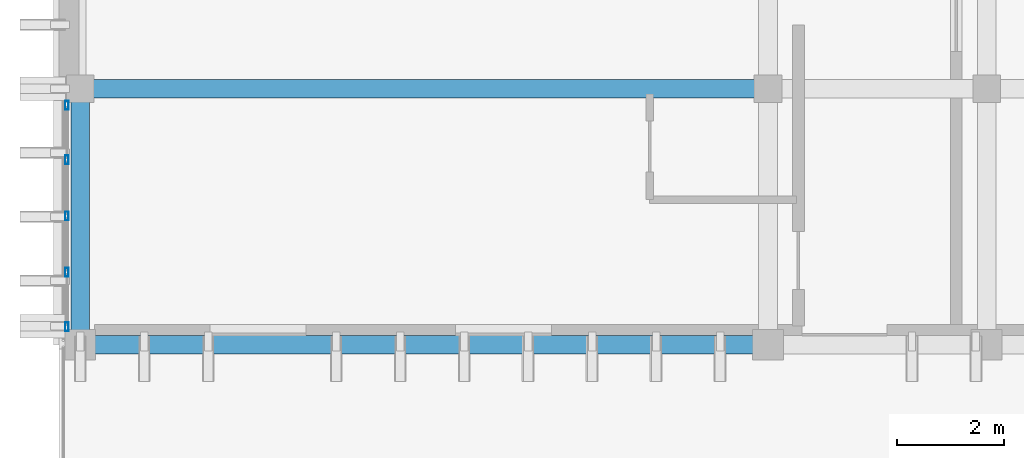
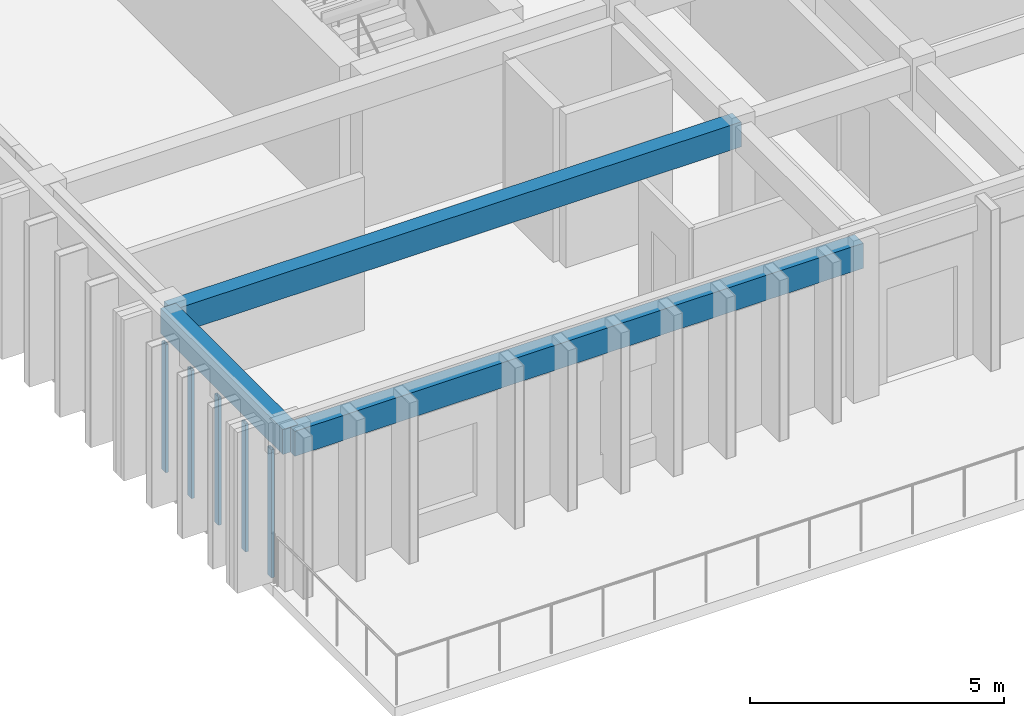
# One storey, part 2 of 49: 5 members, 3 beams, 1 element without a shape of its own.
"""IFC4 building model written with IfcOpenShell, lengths in metres."""

from ifc_helpers import new_model, si_unit, direction, frame, origin, origin_2d, place, context, subcontext, project, spatial, rectangle, hollow_rectangle, extrude, material, layer, layer_set, material_profile, profile_set, type_object, element, aggregate, save


model = new_model("IFC4")

# Units and contexts
model_context = context("Model", 3, precision=1e-05, world=origin(), true_north=direction((0.0, 1.0)))
body_context = subcontext(model_context, "Body", "Model", "MODEL_VIEW")
ifc_project = project(units=[si_unit("LENGTHUNIT", "METRE"), si_unit("AREAUNIT", "SQUARE_METRE"), si_unit("VOLUMEUNIT", "CUBIC_METRE"), si_unit("PLANEANGLEUNIT", "RADIAN"), si_unit("MASSUNIT", "GRAM", prefix="KILO")], contexts=[model_context])

# Site, building, storey
site_placement = place(None, origin())
site = spatial("IfcSite", under=ifc_project, at=site_placement, CompositionType="ELEMENT")
building_placement = place(site_placement, origin())
building = spatial("IfcBuilding", under=site, at=building_placement, Name="Nakhvara Creek Congress Hotel", CompositionType="ELEMENT")
storey_placement = place(building_placement, frame((0.0, 0.0, 46.5)))
storey = spatial("IfcBuildingStorey", under=building, at=storey_placement, Name="L11", CompositionType="ELEMENT", Elevation=46.5)

# Beams
ifc_material_1 = material(Name="Concrete C40/50", Category="concrete")
ifc_material_profile_1 = material_profile(ifc_material_1, rectangle(XDim=0.35009765625, YDim=0.60009765625, at=origin_2d()), Name="RC-BM 350x600", Category="LoadBearing")
ifc_profile_set_1 = profile_set([ifc_material_profile_1], Name="Concrete C40/50")
beam_type = type_object("IfcBeamType", Name="BM-RC-350X600", PredefinedType="BEAM", material=ifc_profile_set_1)
beam_1_placement = place(storey_placement, frame((149.449951171875, 67.199951171875, 3.3798828125), z_axis=(1.0, 0.0, 0.0), x_axis=(0.0, 1.0, 0.0)))
element("IfcBeam", 1, at=beam_1_placement, inside=storey, type_object=beam_type, Name="Beam B07-L11-2720", PredefinedType="BEAM", context=body_context, shape_type="SweptSolid", body=[
    extrude(rectangle(XDim=0.35009765625, YDim=0.60009765625, at=origin_2d()), origin(), (0.0, 0.0, 1.0), 12.900146484375),
])
beam_2_placement = place(storey_placement, frame((149.449951171875, 67.199951171875, 3.3798828125), z_axis=(0.0, 1.0, 0.0), x_axis=(-1.0, 0.0, 0.0)))
element("IfcBeam", 2, at=beam_2_placement, inside=storey, type_object=beam_type, Name="Beam B07-L11-2721", PredefinedType="BEAM", context=body_context, shape_type="SweptSolid", body=[
    extrude(rectangle(XDim=0.35009765625, YDim=0.60009765625, at=origin_2d()), origin(), (0.0, 0.0, 1.0), 4.800048828125),
])
beam_3_placement = place(storey_placement, frame((149.449951171875, 72.0, 3.3798828125), z_axis=(1.0, 0.0, 0.0), x_axis=(0.0, 1.0, 0.0)))
element("IfcBeam", 3, at=beam_3_placement, inside=storey, type_object=beam_type, Name="Beam B07-L11-2765", PredefinedType="BEAM", context=body_context, shape_type="SweptSolid", body=[
    extrude(rectangle(XDim=0.35009765625, YDim=0.60009765625, at=origin_2d()), origin(), (0.0, 0.0, 1.0), 12.900146484375),
])

# Curtain wall, members
ifc_material_2 = material(Name="Bronze-anodised aluminium AW-6063-T6 and double-silver low-E glass", Category="aluminium")
ifc_layer = layer(ifc_material_2, 0.199951171875)
ifc_layer_set = layer_set([ifc_layer], Name="Bronze-anodised aluminium AW-6063-T6 and double-silver low-E glass")
curtain_wall_type = type_object("IfcCurtainWallType", Name="CW-HTL-UNIT", PredefinedType="USERDEFINED", material=ifc_layer_set)
curtain_wall_placement = place(storey_placement, origin())
curtain_wall = element("IfcCurtainWall", 4, at=curtain_wall_placement, inside=storey, type_object=curtain_wall_type, Name="Curtain Wall CW333", ObjectType="UNITISED", PredefinedType="USERDEFINED")
ifc_material_3 = material(Name="Bronze-anodised aluminium AW-6063-T6", Category="aluminium")
ifc_material_profile_2 = material_profile(ifc_material_3, hollow_rectangle(XDim=0.06494140625, YDim=0.159912109375, WallThickness=0.00390625, at=origin_2d()), Name="ALU-MULL 65x160x4", Category="LoadBearing")
ifc_profile_set_2 = profile_set([ifc_material_profile_2], Name="Bronze-anodised aluminium AW-6063-T6")
member_type = type_object("IfcMemberType", Name="CW-MULL-160", PredefinedType="MULLION", material=ifc_profile_set_2)
member_1_placement = place(storey_placement, frame((149.199951171875, 67.53759765625, 0.0), z_axis=(0.0, 0.0, 1.0), x_axis=(-1.0, 0.0, 0.0)))
member_1 = element("IfcMember", 5, at=member_1_placement, type_object=member_type, Name="CW333 mullion 1", PredefinedType="MULLION", context=body_context, shape_type="SweptSolid", body=[
    extrude(hollow_rectangle(XDim=0.06494140625, YDim=0.159912109375, WallThickness=0.00390625, at=origin_2d()), origin(), (0.0, 0.0, 1.0), 3.072021484375),
])
member_2_placement = place(storey_placement, frame((149.199951171875, 68.56005859375, 0.0), z_axis=(0.0, 0.0, 1.0), x_axis=(-1.0, 0.0, 0.0)))
member_2 = element("IfcMember", 6, at=member_2_placement, type_object=member_type, Name="CW333 mullion 2", PredefinedType="MULLION", context=body_context, shape_type="SweptSolid", body=[
    extrude(hollow_rectangle(XDim=0.06494140625, YDim=0.159912109375, WallThickness=0.00390625, at=origin_2d()), origin(), (0.0, 0.0, 1.0), 3.072021484375),
])
member_3_placement = place(storey_placement, frame((149.199951171875, 69.614990234375, 0.0), z_axis=(0.0, 0.0, 1.0), x_axis=(-1.0, 0.0, 0.0)))
member_3 = element("IfcMember", 7, at=member_3_placement, type_object=member_type, Name="CW333 mullion 3", PredefinedType="MULLION", context=body_context, shape_type="SweptSolid", body=[
    extrude(hollow_rectangle(XDim=0.06494140625, YDim=0.159912109375, WallThickness=0.00390625, at=origin_2d()), origin(), (0.0, 0.0, 1.0), 3.072021484375),
])
member_4_placement = place(storey_placement, frame((149.199951171875, 70.669921875, 0.0), z_axis=(0.0, 0.0, 1.0), x_axis=(-1.0, 0.0, 0.0)))
member_4 = element("IfcMember", 8, at=member_4_placement, type_object=member_type, Name="CW333 mullion 4", PredefinedType="MULLION", context=body_context, shape_type="SweptSolid", body=[
    extrude(hollow_rectangle(XDim=0.06494140625, YDim=0.159912109375, WallThickness=0.00390625, at=origin_2d()), origin(), (0.0, 0.0, 1.0), 3.072021484375),
])
member_5_placement = place(storey_placement, frame((149.199951171875, 71.6923828125, 0.0), z_axis=(0.0, 0.0, 1.0), x_axis=(-1.0, 0.0, 0.0)))
member_5 = element("IfcMember", 9, at=member_5_placement, type_object=member_type, Name="CW333 mullion 5", PredefinedType="MULLION", context=body_context, shape_type="SweptSolid", body=[
    extrude(hollow_rectangle(XDim=0.06494140625, YDim=0.159912109375, WallThickness=0.00390625, at=origin_2d()), origin(), (0.0, 0.0, 1.0), 3.072021484375),
])
aggregate(curtain_wall, [member_1, member_2, member_3, member_4, member_5])

save(model, "model.ifc")
